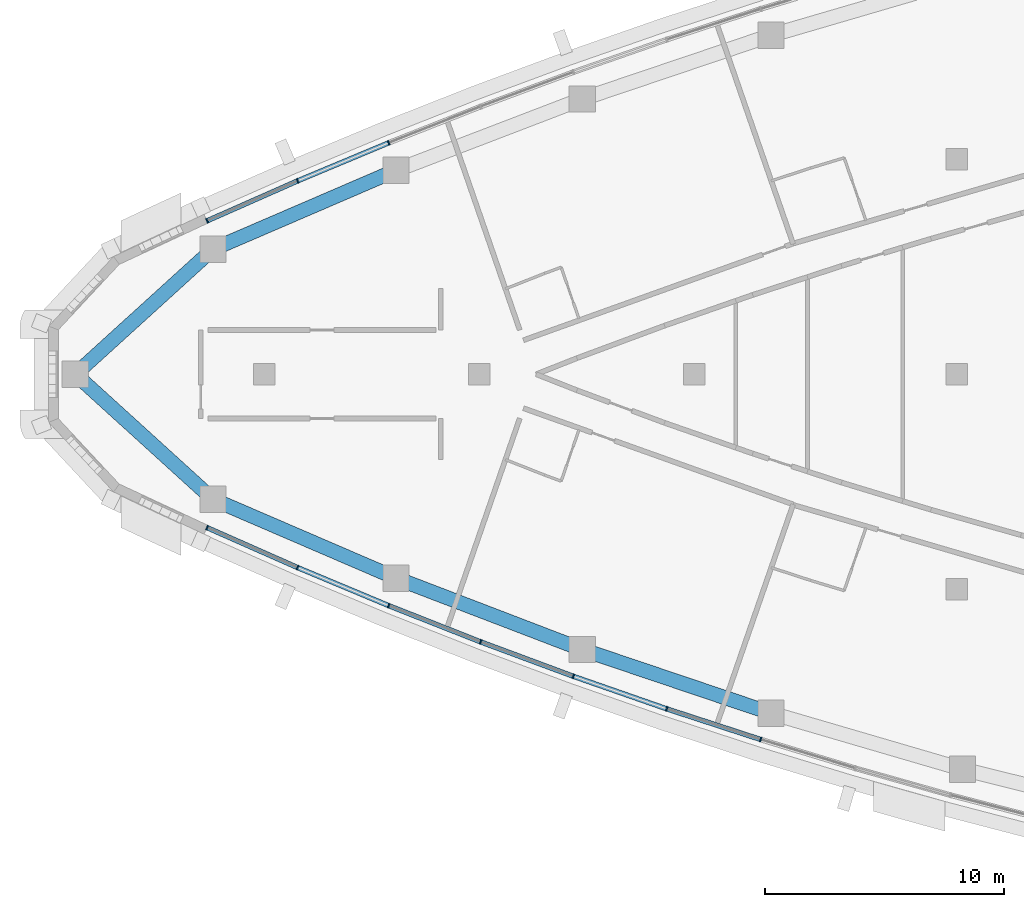
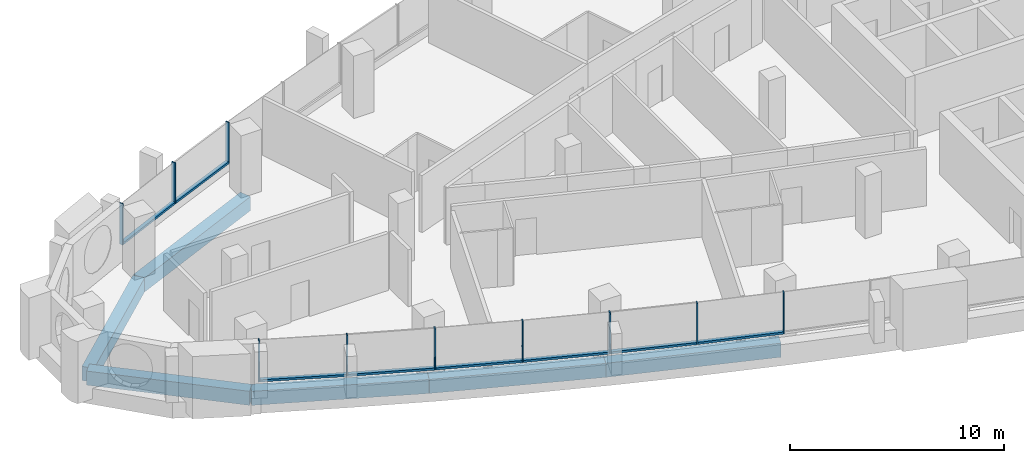
# One storey, part 2 of 13: 18 members, 6 beams, 5 elements without a shape of their own.
"""IFC4 building model written with IfcOpenShell, lengths in metres."""

from ifc_helpers import new_model, si_unit, direction, frame, origin, origin_2d, place, context, subcontext, project, spatial, rectangle, extrude, material, layer, layer_set, material_profile, profile_set, type_object, element, aggregate, save


model = new_model("IFC4")

# Units and contexts
model_context = context("Model", 3, precision=1e-05, world=origin(), true_north=direction((0.0, 1.0)))
body_context = subcontext(model_context, "Body", "Model", "MODEL_VIEW")
ifc_project = project(units=[si_unit("LENGTHUNIT", "METRE"), si_unit("AREAUNIT", "SQUARE_METRE"), si_unit("VOLUMEUNIT", "CUBIC_METRE"), si_unit("PLANEANGLEUNIT", "RADIAN"), si_unit("MASSUNIT", "GRAM", prefix="KILO")], contexts=[model_context])

# Site, building, storey
site_placement = place(None, origin())
site = spatial("IfcSite", under=ifc_project, at=site_placement, CompositionType="ELEMENT")
building_placement = place(site_placement, origin())
building = spatial("IfcBuilding", under=site, at=building_placement, Name="Ostrand Prow Hotel Tower", CompositionType="ELEMENT")
storey_placement = place(building_placement, frame((0.0, 0.0, 282.10009765625)))
storey = spatial("IfcBuildingStorey", under=building, at=storey_placement, Name="L71", CompositionType="ELEMENT", Elevation=282.10009765625)

# Beams
ifc_material_1 = material(Name="Concrete C50/60", Category="concrete")
ifc_material_profile_1 = material_profile(ifc_material_1, rectangle(XDim=0.60009765625, YDim=0.800048828125, at=origin_2d()), Name="RC 600x800")
ifc_profile_set_1 = profile_set([ifc_material_profile_1], Name="Concrete C50/60")
beam_type = type_object("IfcBeamType", Name="Edge beam 600x800 C50/60", PredefinedType="SPANDREL", material=ifc_profile_set_1)
beam_1_placement = place(storey_placement, frame((8.082763671875, 0.0, -0.7001953125), z_axis=(0.740124460758, -0.672469912032, 0.0), x_axis=(0.672469912032, 0.740124460758, 0.0)))
element("IfcBeam", 1, at=beam_1_placement, inside=storey, type_object=beam_type, Name="Edge beam P-S1", PredefinedType="SPANDREL", context=body_context, shape_type="SweptSolid", body=[
    extrude(rectangle(XDim=0.60009765625, YDim=0.800048828125, at=origin_2d()), origin(), (0.0, 0.0, 1.0), 7.787353515625),
])
for number, where, z_axis, x_axis, name in (
    (2, (13.846435546875, -5.23681640625, -0.7001953125), (0.918403788687, -0.39564438695, 0.0), (0.39564438695, 0.918403788687, 0.0), "Edge beam S1-S2"),
    (3, (21.51416015625, -8.5400390625, -0.7001953125), (0.933761753797, -0.357895218111, 0.0), (0.357895218111, 0.933761753797, 0.0), "Edge beam S2-S3"),
    (4, (29.31005859375, -11.528076171875, -0.7001953125), (0.947575089419, -0.319533174981, 0.0), (0.319533174981, 0.947575089419, 0.0), "Edge beam S3-S4"),
    (5, (21.51416015625, 8.5400390625, -0.7001953125), (-0.918403788687, -0.39564438695, 0.0), (0.39564438695, -0.918403788687, 0.0), "Edge beam N5-N6"),
):
    element("IfcBeam", number, at=place(storey_placement, frame(where, z_axis=z_axis, x_axis=x_axis)), inside=storey, type_object=beam_type, Name=name, PredefinedType="SPANDREL", context=body_context, shape_type="SweptSolid", body=[
        extrude(rectangle(XDim=0.60009765625, YDim=0.800048828125, at=origin_2d()), origin(), (0.0, 0.0, 1.0), 8.348876953125),
    ])
beam_2_placement = place(storey_placement, frame((13.846435546875, 5.23681640625, -0.7001953125), z_axis=(-0.740124460758, -0.672469912032, 0.0), x_axis=(0.672469912032, -0.740124460758, 0.0)))
element("IfcBeam", 6, at=beam_2_placement, inside=storey, type_object=beam_type, Name="Edge beam N6-P", PredefinedType="SPANDREL", context=body_context, shape_type="SweptSolid", body=[
    extrude(rectangle(XDim=0.60009765625, YDim=0.800048828125, at=origin_2d()), origin(), (0.0, 0.0, 1.0), 7.787353515625),
])

# Curtain wall, members
ifc_material_2 = material(Name="Insulated glass in bronze anodised frame", Category="glass")
ifc_layer = layer(ifc_material_2, 0.199951171875)
ifc_layer_set = layer_set([ifc_layer], Name="Insulated glass in bronze anodised frame")
curtain_wall_type = type_object("IfcCurtainWallType", Name="Strip curtain wall, fritted glass over bronze spandrel", PredefinedType="NOTDEFINED", material=ifc_layer_set)
curtain_wall_1_placement = place(storey_placement, origin())
curtain_wall_1 = element("IfcCurtainWall", 7, at=curtain_wall_1_placement, inside=storey, type_object=curtain_wall_type, Name="CW1 run CWS1", PredefinedType="NOTDEFINED")
ifc_material_3 = material(Name="Bronze anodised aluminium", Category="aluminium")
ifc_material_profile_2 = material_profile(ifc_material_3, rectangle(XDim=0.199951171875, YDim=0.06005859375, at=origin_2d()), Name="Mullion 60x200 bronze anodised aluminium")
ifc_profile_set_2 = profile_set([ifc_material_profile_2], Name="Bronze anodised aluminium")
member_type_1 = type_object("IfcMemberType", Name="Mullion 60x200 bronze anodised aluminium", PredefinedType="MULLION", material=ifc_profile_set_2)
member_1_placement = place(storey_placement, frame((13.60009765625, -6.423583984375, 0.89990234375), z_axis=(0.0, 0.0, 1.0), x_axis=(0.403939694592, 0.914785615941, 0.0)))
member_1 = element("IfcMember", 8, at=member_1_placement, type_object=member_type_1, Name="CW1 mullion 1", PredefinedType="MULLION", context=body_context, shape_type="SweptSolid", body=[
    extrude(rectangle(XDim=0.199951171875, YDim=0.06005859375, at=origin_2d()), origin(), (0.0, 0.0, 1.0), 2.35009765625),
])
member_2_placement = place(storey_placement, frame((17.386962890625, -8.095947265625, 0.89990234375), z_axis=(0.0, 0.0, 1.0), x_axis=(0.385471263659, 0.922719840955, 0.0)))
member_2 = element("IfcMember", 9, at=member_2_placement, type_object=member_type_1, Name="CW1 mullion 2", PredefinedType="MULLION", context=body_context, shape_type="SweptSolid", body=[
    extrude(rectangle(XDim=0.199951171875, YDim=0.06005859375, at=origin_2d()), origin(), (0.0, 0.0, 1.0), 2.35009765625),
])
member_3_placement = place(storey_placement, frame((21.206787109375, -9.691650390625, 0.89990234375), z_axis=(0.0, 0.0, 1.0), x_axis=(0.385471263659, 0.922719840955, 0.0)))
member_3 = element("IfcMember", 10, at=member_3_placement, type_object=member_type_1, Name="CW1 mullion 3", PredefinedType="MULLION", context=body_context, shape_type="SweptSolid", body=[
    extrude(rectangle(XDim=0.199951171875, YDim=0.06005859375, at=origin_2d()), origin(), (0.0, 0.0, 1.0), 2.35009765625),
])

curtain_wall_2_placement = place(storey_placement, origin())
curtain_wall_2 = element("IfcCurtainWall", 11, at=curtain_wall_2_placement, inside=storey, type_object=curtain_wall_type, Name="CW1 run CWS2", PredefinedType="NOTDEFINED")
member_4_placement = place(storey_placement, frame((25.05810546875, -11.210205078125, 0.89990234375), z_axis=(0.0, 0.0, 1.0), x_axis=(0.348071422738, 0.937468017947, 0.0)))
member_4 = element("IfcMember", 12, at=member_4_placement, type_object=member_type_1, Name="CW1 mullion 2", PredefinedType="MULLION", context=body_context, shape_type="SweptSolid", body=[
    extrude(rectangle(XDim=0.199951171875, YDim=0.06005859375, at=origin_2d()), origin(), (0.0, 0.0, 1.0), 2.35009765625),
])
member_5_placement = place(storey_placement, frame((28.93896484375, -12.6513671875, 0.89990234375), z_axis=(0.0, 0.0, 1.0), x_axis=(0.348071422738, 0.937468017947, 0.0)))
member_5 = element("IfcMember", 13, at=member_5_placement, type_object=member_type_1, Name="CW1 mullion 3", PredefinedType="MULLION", context=body_context, shape_type="SweptSolid", body=[
    extrude(rectangle(XDim=0.199951171875, YDim=0.06005859375, at=origin_2d()), origin(), (0.0, 0.0, 1.0), 2.35009765625),
])

curtain_wall_3_placement = place(storey_placement, origin())
curtain_wall_3 = element("IfcCurtainWall", 14, at=curtain_wall_3_placement, inside=storey, type_object=curtain_wall_type, Name="CW1 run CWS3", PredefinedType="NOTDEFINED")
member_6_placement = place(storey_placement, frame((32.84814453125, -14.013916015625, 0.89990234375), z_axis=(0.0, 0.0, 1.0), x_axis=(0.310110668289, 0.950700464612, 0.0)))
member_6 = element("IfcMember", 15, at=member_6_placement, type_object=member_type_1, Name="CW1 mullion 2", PredefinedType="MULLION", context=body_context, shape_type="SweptSolid", body=[
    extrude(rectangle(XDim=0.199951171875, YDim=0.06005859375, at=origin_2d()), origin(), (0.0, 0.0, 1.0), 2.35009765625),
])
member_7_placement = place(storey_placement, frame((36.78369140625, -15.297607421875, 0.89990234375), z_axis=(0.0, 0.0, 1.0), x_axis=(0.310110668289, 0.950700464612, 0.0)))
member_7 = element("IfcMember", 16, at=member_7_placement, type_object=member_type_1, Name="CW1 mullion 3", PredefinedType="MULLION", context=body_context, shape_type="SweptSolid", body=[
    extrude(rectangle(XDim=0.199951171875, YDim=0.06005859375, at=origin_2d()), origin(), (0.0, 0.0, 1.0), 2.35009765625),
])

# Curtain wall, member
curtain_wall_4_placement = place(storey_placement, origin())
curtain_wall_4 = element("IfcCurtainWall", 17, at=curtain_wall_4_placement, inside=storey, type_object=curtain_wall_type, Name="CW1 run CWN4", PredefinedType="NOTDEFINED")
member_8_placement = place(storey_placement, frame((21.206787109375, 9.691650390625, 0.89990234375), z_axis=(0.0, 0.0, 1.0), x_axis=(0.366845465248, -0.930281895249, 0.0)))
member_8 = element("IfcMember", 18, at=member_8_placement, type_object=member_type_1, Name="CW1 mullion 3", PredefinedType="MULLION", context=body_context, shape_type="SweptSolid", body=[
    extrude(rectangle(XDim=0.199951171875, YDim=0.06005859375, at=origin_2d()), origin(), (0.0, 0.0, 1.0), 2.35009765625),
])
aggregate(curtain_wall_4, [member_8])

# Curtain wall, members
curtain_wall_5_placement = place(storey_placement, origin())
curtain_wall_5 = element("IfcCurtainWall", 19, at=curtain_wall_5_placement, inside=storey, type_object=curtain_wall_type, Name="CW1 run CWN5", PredefinedType="NOTDEFINED")
member_9_placement = place(storey_placement, frame((17.386962890625, 8.095947265625, 0.89990234375), z_axis=(0.0, 0.0, 1.0), x_axis=(0.403939694592, -0.914785615941, 0.0)))
member_9 = element("IfcMember", 20, at=member_9_placement, type_object=member_type_1, Name="CW1 mullion 2", PredefinedType="MULLION", context=body_context, shape_type="SweptSolid", body=[
    extrude(rectangle(XDim=0.199951171875, YDim=0.06005859375, at=origin_2d()), origin(), (0.0, 0.0, 1.0), 2.35009765625),
])
member_10_placement = place(storey_placement, frame((13.60009765625, 6.423583984375, 0.89990234375), z_axis=(0.0, 0.0, 1.0), x_axis=(0.403939694592, -0.914785615941, 0.0)))
member_10 = element("IfcMember", 21, at=member_10_placement, type_object=member_type_1, Name="CW1 mullion 3", PredefinedType="MULLION", context=body_context, shape_type="SweptSolid", body=[
    extrude(rectangle(XDim=0.199951171875, YDim=0.06005859375, at=origin_2d()), origin(), (0.0, 0.0, 1.0), 2.35009765625),
])

# Member
ifc_material_4 = material(Name="Bronze anodised aluminium", Category="aluminium")
ifc_material_profile_3 = material_profile(ifc_material_4, rectangle(XDim=0.199951171875, YDim=0.1201171875, at=origin_2d()), Name="Transom 120x200 bronze anodised aluminium")
ifc_profile_set_3 = profile_set([ifc_material_profile_3], Name="Bronze anodised aluminium")
member_type_2 = type_object("IfcMemberType", Name="Transom 120x200 bronze anodised aluminium", PredefinedType="USERDEFINED", material=ifc_profile_set_3)
member_11_placement = place(storey_placement, frame((13.62744140625, -6.435791015625, 0.9599609375), z_axis=(0.914791011182, -0.403927475991, 0.0), x_axis=(0.403927475991, 0.914791011182, 0.0)))
member_11 = element("IfcMember", 22, at=member_11_placement, type_object=member_type_2, Name="CW1 transom 1.1", ObjectType="TRANSOM", PredefinedType="USERDEFINED", context=body_context, shape_type="SweptSolid", body=[
    extrude(rectangle(XDim=0.199951171875, YDim=0.1201171875, at=origin_2d()), origin(), (0.0, 0.0, 1.0), 4.079833984375),
])

member_12_placement = place(storey_placement, frame((17.414794921875, -8.107421875, 0.9599609375), z_axis=(0.922706465875, -0.385503278628, 0.0), x_axis=(0.385503278628, 0.922706465875, 0.0)))
member_12 = element("IfcMember", 23, at=member_12_placement, type_object=member_type_2, Name="CW1 transom 2.1", ObjectType="TRANSOM", PredefinedType="USERDEFINED", context=body_context, shape_type="SweptSolid", body=[
    extrude(rectangle(XDim=0.199951171875, YDim=0.1201171875, at=origin_2d()), origin(), (0.0, 0.0, 1.0), 4.079833984375),
])

aggregate(curtain_wall_1, [member_1, member_2, member_3, member_11, member_12])

member_13_placement = place(storey_placement, frame((21.23486328125, -9.70263671875, 0.9599609375), z_axis=(0.930289613186, -0.366825892759, 0.0), x_axis=(0.366825892759, 0.930289613186, 0.0)))
member_13 = element("IfcMember", 24, at=member_13_placement, type_object=member_type_2, Name="CW1 transom 1.1", ObjectType="TRANSOM", PredefinedType="USERDEFINED", context=body_context, shape_type="SweptSolid", body=[
    extrude(rectangle(XDim=0.199951171875, YDim=0.1201171875, at=origin_2d()), origin(), (0.0, 0.0, 1.0), 4.079833984375),
])

member_14_placement = place(storey_placement, frame((25.086181640625, -11.220703125, 0.9599609375), z_axis=(0.937460424566, -0.348091873465, 0.0), x_axis=(0.348091873465, 0.937460424566, 0.0)))
member_14 = element("IfcMember", 25, at=member_14_placement, type_object=member_type_2, Name="CW1 transom 2.1", ObjectType="TRANSOM", PredefinedType="USERDEFINED", context=body_context, shape_type="SweptSolid", body=[
    extrude(rectangle(XDim=0.199951171875, YDim=0.1201171875, at=origin_2d()), origin(), (0.0, 0.0, 1.0), 4.079833984375),
])

aggregate(curtain_wall_2, [member_4, member_5, member_13, member_14])

member_15_placement = place(storey_placement, frame((28.96728515625, -12.6611328125, 0.9599609375), z_axis=(0.944268108385, -0.329177367822, 0.0), x_axis=(0.329177367822, 0.944268108385, 0.0)))
member_15 = element("IfcMember", 26, at=member_15_placement, type_object=member_type_2, Name="CW1 transom 1.1", ObjectType="TRANSOM", PredefinedType="USERDEFINED", context=body_context, shape_type="SweptSolid", body=[
    extrude(rectangle(XDim=0.199951171875, YDim=0.1201171875, at=origin_2d()), origin(), (0.0, 0.0, 1.0), 4.079833984375),
])

member_16_placement = place(storey_placement, frame((32.876708984375, -14.023193359375, 0.9599609375), z_axis=(0.950704145978, -0.310099382165, 0.0), x_axis=(0.310099382165, 0.950704145978, 0.0)))
member_16 = element("IfcMember", 27, at=member_16_placement, type_object=member_type_2, Name="CW1 transom 2.1", ObjectType="TRANSOM", PredefinedType="USERDEFINED", context=body_context, shape_type="SweptSolid", body=[
    extrude(rectangle(XDim=0.199951171875, YDim=0.1201171875, at=origin_2d()), origin(), (0.0, 0.0, 1.0), 4.079833984375),
])

aggregate(curtain_wall_3, [member_6, member_7, member_15, member_16])

member_17_placement = place(storey_placement, frame((21.17919921875, 9.68017578125, 0.9599609375), z_axis=(-0.922706465875, -0.385503278628, 0.0), x_axis=(0.385503278628, -0.922706465875, 0.0)))
member_17 = element("IfcMember", 28, at=member_17_placement, type_object=member_type_2, Name="CW1 transom 1.1", ObjectType="TRANSOM", PredefinedType="USERDEFINED", context=body_context, shape_type="SweptSolid", body=[
    extrude(rectangle(XDim=0.199951171875, YDim=0.1201171875, at=origin_2d()), origin(), (0.0, 0.0, 1.0), 4.079833984375),
])

member_18_placement = place(storey_placement, frame((17.359619140625, 8.083740234375, 0.9599609375), z_axis=(-0.914791011182, -0.403927475991, 0.0), x_axis=(0.403927475991, -0.914791011182, 0.0)))
member_18 = element("IfcMember", 29, at=member_18_placement, type_object=member_type_2, Name="CW1 transom 2.1", ObjectType="TRANSOM", PredefinedType="USERDEFINED", context=body_context, shape_type="SweptSolid", body=[
    extrude(rectangle(XDim=0.199951171875, YDim=0.1201171875, at=origin_2d()), origin(), (0.0, 0.0, 1.0), 4.079833984375),
])

aggregate(curtain_wall_5, [member_9, member_10, member_17, member_18])

save(model, "model.ifc")
